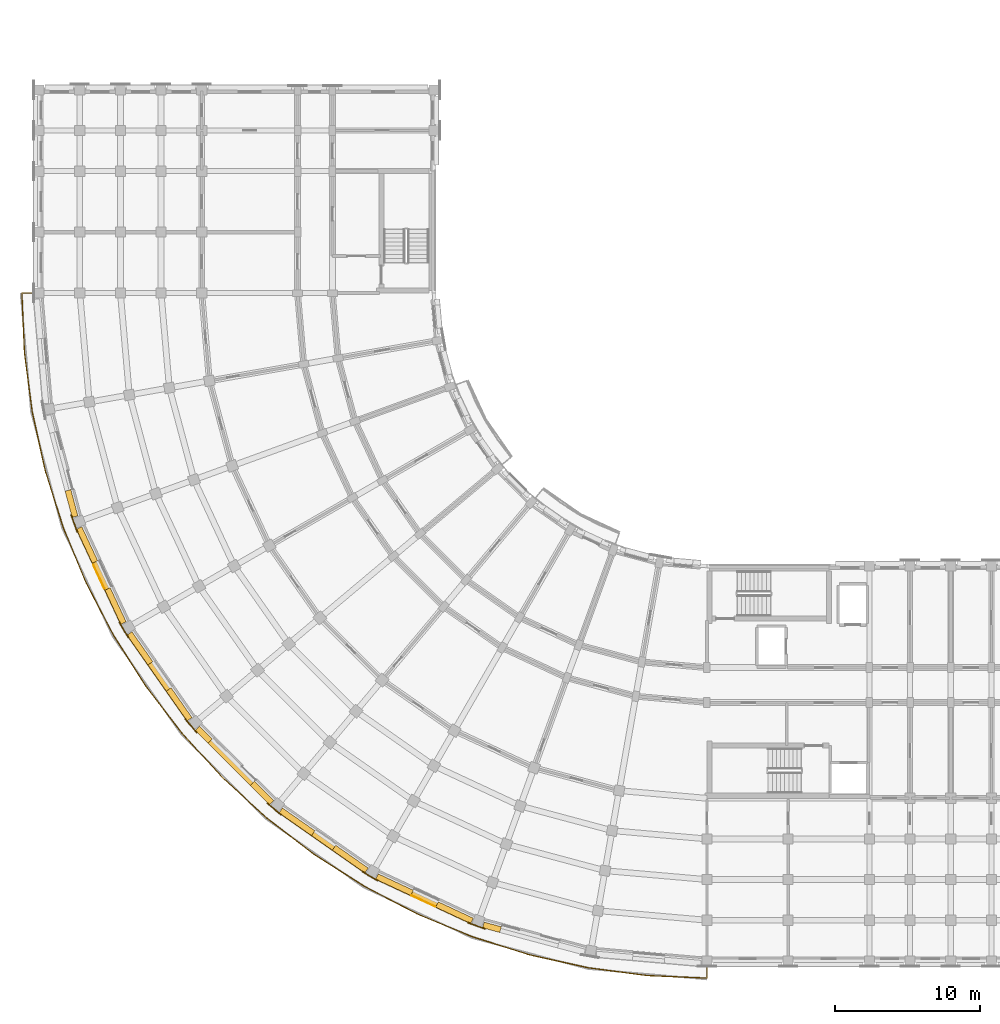
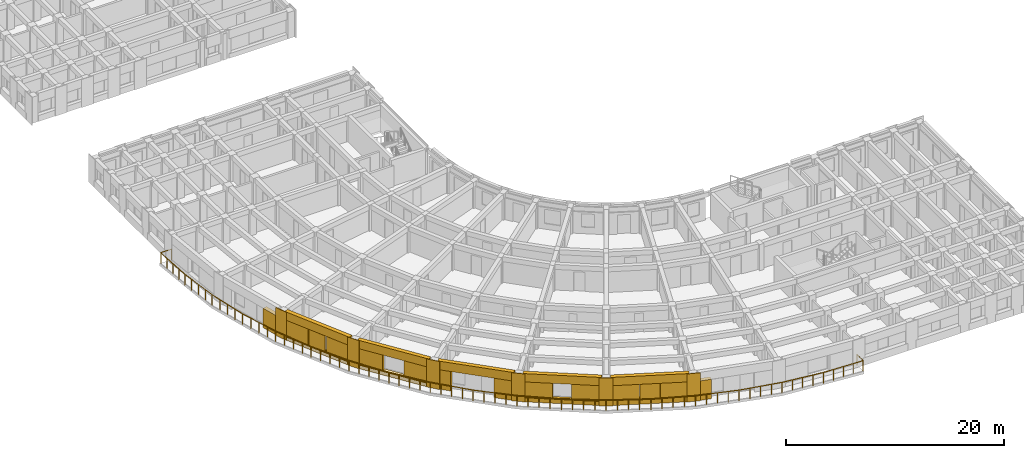
# One storey, part 40 of 57: 27 coverings, 2 shading devices, 1 railing.
"""IFC4 building model written with IfcOpenShell, lengths in metres."""

import ifcopenshell
import ifcopenshell.guid

model = None  # the IFC model being written
_history = None  # IfcOwnerHistory: only IFC2X3 demands one
_inside = {}  # id of a spatial element -> (the spatial element, [elements in it])
_under = {}  # id of a project, library or spatial element -> (it, [spatial elements below it])
_declared = {}  # id of a project -> (the project, [libraries it declares])
_typed = {}  # id of a type object -> (the type object, [elements of that type])
_made_of = {}  # id of a material, layer set ... -> (it, [elements and type objects made of it])


def new_model(schema):
    """Start an empty IFC model of exactly this schema.

    Asked for "IFC4X3", IfcOpenShell would pick the latest addendum, in which some entities
    have other attributes; the version numbers below select the first issue.
    IFC2X3 requires an IfcOwnerHistory on every rooted entity: one is made here for all.
    """
    global model, _history
    if schema == "IFC4X3":
        model = ifcopenshell.file(schema_version=(4, 3, 0, 0))
    else:
        model = ifcopenshell.file(schema=schema)
    _inside.clear()
    _under.clear()
    _declared.clear()
    _typed.clear()
    _made_of.clear()
    _history = None
    if model.schema == "IFC2X3":
        org = make("IfcOrganization", Name="unknown")
        user = make(
            "IfcPersonAndOrganization",
            ThePerson=make("IfcPerson", FamilyName="unknown"),
            TheOrganization=org,
        )
        app = make(
            "IfcApplication",
            ApplicationDeveloper=org,
            Version="unknown",
            ApplicationFullName="unknown",
            ApplicationIdentifier="unknown",
        )
        _history = make(
            "IfcOwnerHistory",
            OwningUser=user,
            OwningApplication=app,
            ChangeAction="ADDED",
            CreationDate=0,
        )
    return model


def make(cls, **values):
    """One entity of the class cls with the attributes given. An attribute that is None is left unset."""
    return model.create_entity(
        cls, **{name: value for name, value in values.items() if value is not None}
    )


def rooted(cls, **values):
    """An entity with a GlobalId (a new one), such as an element, a storey or a relation."""
    return make(cls, GlobalId=ifcopenshell.guid.new(), OwnerHistory=_history, **values)


def si_unit(unit_type, name, prefix=None):
    """IfcSIUnit, for example si_unit("LENGTHUNIT", "METRE", prefix="MILLI")."""
    return make("IfcSIUnit", UnitType=unit_type, Prefix=prefix, Name=name)


def assignment(units):
    """IfcUnitAssignment: the units of a project."""
    return None if units is None else make("IfcUnitAssignment", Units=units)


def point(xyz):
    """IfcCartesianPoint."""
    return None if xyz is None else make("IfcCartesianPoint", Coordinates=xyz)


def direction(xyz):
    """IfcDirection."""
    return None if xyz is None else make("IfcDirection", DirectionRatios=xyz)


def frame(location, z_axis=None, x_axis=None):
    """IfcAxis2Placement3D, a coordinate frame: its origin and axes. An axis left out is left unset."""
    return make(
        "IfcAxis2Placement3D",
        Location=point(location),
        Axis=direction(z_axis),
        RefDirection=direction(x_axis),
    )


def frame_2d(location, x_axis=None):
    """IfcAxis2Placement2D, a coordinate frame in the plane: its origin and x axis."""
    return make(
        "IfcAxis2Placement2D", Location=point(location), RefDirection=direction(x_axis)
    )


def origin():
    """The frame at (0, 0, 0) with its axes left unset."""
    return frame((0.0, 0.0, 0.0))


def origin_2d():
    """The frame at (0, 0) in the plane with its x axis left unset."""
    return frame_2d((0.0, 0.0))


def place(relative_to, where):
    """IfcLocalPlacement: puts the frame where relative to a parent placement (None: the world)."""
    return make(
        "IfcLocalPlacement", PlacementRelTo=relative_to, RelativePlacement=where
    )


def context(
    kind, dimensions, precision=None, world=None, true_north=None, identifier=None
):
    """IfcGeometricRepresentationContext, for example the 3D "Model" context."""
    return make(
        "IfcGeometricRepresentationContext",
        ContextIdentifier=identifier,
        ContextType=kind,
        CoordinateSpaceDimension=dimensions,
        Precision=precision,
        WorldCoordinateSystem=world,
        TrueNorth=true_north,
    )


def subcontext(parent, identifier, kind, view, scale=None):
    """IfcGeometricRepresentationSubContext, for example "Body" below "Model"."""
    return make(
        "IfcGeometricRepresentationSubContext",
        ContextIdentifier=identifier,
        ContextType=kind,
        ParentContext=parent,
        TargetScale=scale,
        TargetView=view,
    )


def project(units=None, contexts=None):
    """IfcProject with its units and contexts."""
    return rooted(
        "IfcProject",
        Name="project",
        RepresentationContexts=contexts,
        UnitsInContext=assignment(units),
    )


def spatial(cls, under=None, at=None, **own):
    """A site, building, storey or space (cls), placed at a placement, below another one or the project."""
    s = rooted(cls, ObjectPlacement=at, **own)
    if under is not None:
        _under.setdefault(under.id(), (under, []))[1].append(s)
    return s


def polyline(points):
    """IfcPolyline through the points."""
    return make("IfcPolyline", Points=[point(p) for p in points])


def profile(cls, at=None, kind="AREA", **sizes):
    """A parametric profile (cls). Its sizes go by their IFC names, for example OverallWidth=200.0."""
    return make(cls, ProfileType=kind, Position=at, **sizes)


def rectangle(**sizes):
    """IfcRectangleProfileDef."""
    return profile("IfcRectangleProfileDef", **sizes)


def circle(**sizes):
    """IfcCircleProfileDef."""
    return profile("IfcCircleProfileDef", **sizes)


def outline(outer, holes=None, kind="AREA"):
    """IfcArbitraryClosedProfileDef: a profile drawn as a closed curve; with holes, ...WithVoids."""
    if holes is None:
        return make("IfcArbitraryClosedProfileDef", ProfileType=kind, OuterCurve=outer)
    return make(
        "IfcArbitraryProfileDefWithVoids",
        ProfileType=kind,
        OuterCurve=outer,
        InnerCurves=holes,
    )


def extrude(swept, where, along, depth):
    """IfcExtrudedAreaSolid: the profile swept, set in the frame where, extruded along a direction by depth."""
    return make(
        "IfcExtrudedAreaSolid",
        SweptArea=swept,
        Position=where,
        ExtrudedDirection=direction(along),
        Depth=depth,
    )


def shape(context_of_items, identifier, shape_type, items):
    """IfcShapeRepresentation: the items that make up one representation, for example the "Body"."""
    return make(
        "IfcShapeRepresentation",
        ContextOfItems=context_of_items,
        RepresentationIdentifier=identifier,
        RepresentationType=shape_type,
        Items=items,
    )


def material(Name=None, Category=None):
    """IfcMaterial."""
    return make("IfcMaterial", Name=Name, Category=Category)


def layer(
    of_material, thickness, ventilated=None, Name=None, Category=None, Priority=None
):
    """IfcMaterialLayer: one layer of a wall or slab, of a material (None: an air gap)."""
    return make(
        "IfcMaterialLayer",
        Material=of_material,
        LayerThickness=thickness,
        IsVentilated=ventilated,
        Name=Name,
        Category=Category,
        Priority=Priority,
    )


def layer_set(layers, Name=None):
    """IfcMaterialLayerSet."""
    return make("IfcMaterialLayerSet", MaterialLayers=layers, LayerSetName=Name)


def made_of(thing, what):
    """Note that an element or type object is made of a material, layer set ...; save() writes the relation."""
    if what is not None:
        _made_of.setdefault(what.id(), (what, []))[1].append(thing)
    return thing


def type_object(cls, material=None, **own):
    """A type object (cls), such as IfcWallType, which elements share."""
    return made_of(rooted(cls, **own), material)


def element(
    cls,
    number,
    at=None,
    inside=None,
    cuts=None,
    type_object=None,
    material=None,
    context=None,
    identifier="Body",
    shape_type=None,
    held_by="IfcProductDefinitionShape",
    body=None,
    shapes=None,
    **own,
):
    """One element of the class cls, such as IfcWall. Its Tag is "e" and its number.

    at: its placement. inside: the storey or other place that contains it. cuts: it is an
    opening in that element (IfcRelVoidsElement). A single representation is given by context,
    identifier, shape_type and body (its items); several are given by shapes. held_by: the class
    of the entity that holds the representations. save() writes the other relations.
    """
    e = rooted(cls, Tag="e%d" % number, ObjectPlacement=at, **own)
    if body is not None:
        shapes = [shape(context, identifier, shape_type, body)]
    if shapes is not None:
        e.Representation = make(held_by, Representations=shapes)
    if inside is not None:
        _inside.setdefault(inside.id(), (inside, []))[1].append(e)
    if cuts is not None:
        rooted(
            "IfcRelVoidsElement", RelatingBuildingElement=cuts, RelatedOpeningElement=e
        )
    if type_object is not None:
        _typed.setdefault(type_object.id(), (type_object, []))[1].append(e)
    return made_of(e, material)


def aggregate(whole, parts):
    """IfcRelAggregates: a whole, such as a stair, and the parts it consists of."""
    return rooted("IfcRelAggregates", RelatingObject=whole, RelatedObjects=parts)


def save(model, path):
    """Write the relations noted so far, then the file.

    IfcRelAggregates (storeys below a building ...), IfcRelContainedInSpatialStructure (elements
    in a storey), IfcRelDefinesByType, IfcRelAssociatesMaterial and IfcRelDeclares: one each for
    every whole, place, type object, material and project.
    """
    for whole, parts in _under.values():
        aggregate(whole, parts)
    for where, things in _inside.values():
        rooted(
            "IfcRelContainedInSpatialStructure",
            RelatedElements=things,
            RelatingStructure=where,
        )
    for kind, things in _typed.values():
        rooted("IfcRelDefinesByType", RelatedObjects=things, RelatingType=kind)
    for what, things in _made_of.values():
        rooted("IfcRelAssociatesMaterial", RelatedObjects=things, RelatingMaterial=what)
    for by, libraries in _declared.values():
        rooted("IfcRelDeclares", RelatingContext=by, RelatedDefinitions=libraries)
    model.write(path)


model = new_model("IFC4")

# Units and contexts
model_context = context("Model", 3, precision=1e-05, world=origin(), true_north=direction((0.0, 1.0)))
body_context = subcontext(model_context, "Body", "Model", "MODEL_VIEW")
ifc_project = project(units=[si_unit("LENGTHUNIT", "METRE"), si_unit("AREAUNIT", "SQUARE_METRE"), si_unit("VOLUMEUNIT", "CUBIC_METRE"), si_unit("PLANEANGLEUNIT", "RADIAN"), si_unit("MASSUNIT", "GRAM", prefix="KILO")], contexts=[model_context])

# Site, building, storey
site_placement = place(None, origin())
site = spatial("IfcSite", under=ifc_project, at=site_placement, CompositionType="ELEMENT")
building_placement = place(site_placement, origin())
building = spatial("IfcBuilding", under=site, at=building_placement, Name="Kiranvali Square Residences", CompositionType="ELEMENT")
storey_placement = place(building_placement, frame((0.0, 0.0, 18.14990234375)))
storey = spatial("IfcBuildingStorey", under=building, at=storey_placement, Name="L05", CompositionType="ELEMENT", Elevation=18.14990234375)

# Coverings
ifc_material_1 = material(Name="Honed Porbandar limestone ashlar facade cladding", Category="masonry")
ifc_layer_1 = layer(ifc_material_1, 0.3798828125)
ifc_layer_set_1 = layer_set([ifc_layer_1], Name="Honed Porbandar limestone ashlar facade cladding")
covering_type_1 = type_object("IfcCoveringType", Name="COV-CLAD-JAMB", PredefinedType="CLADDING", material=ifc_layer_set_1)
covering_1_placement = place(storey_placement, origin())
element("IfcCovering", 1, at=covering_1_placement, inside=storey, type_object=covering_type_1, Name="L05 deep limestone window jamb reveal C-L05-CRV-01.R", PredefinedType="CLADDING", context=body_context, shape_type="SweptSolid", body=[
    extrude(outline(polyline([(34.038330078125, 4.552734375), (32.853271484375, 4.8701171875), (32.747314453125, 4.474609375), (33.932373046875, 4.156982421875), (34.038330078125, 4.552734375)])), origin(), (0.0, 0.0, 1.0), 2.18017578125),
])
covering_2_placement = place(storey_placement, frame((0.0, 0.0, 0.56201171875)))
element("IfcCovering", 2, at=covering_2_placement, inside=storey, type_object=covering_type_1, Name="L05 deep limestone window jamb reveal C-L05-CRV-02.L", PredefinedType="CLADDING", context=body_context, shape_type="SweptSolid", body=[
    extrude(outline(polyline([(32.104248046875, 5.142822265625), (29.6943359375, 6.2666015625), (29.521240234375, 5.8955078125), (31.931396484375, 4.771484375), (32.104248046875, 5.142822265625)])), origin(), (0.0, 0.0, 1.0), 1.650146484375),
])
covering_3_placement = place(storey_placement, frame((0.0, 0.0, 0.56201171875)))
element("IfcCovering", 3, at=covering_3_placement, inside=storey, type_object=covering_type_1, Name="L05 deep limestone window jamb reveal C-L05-CRV-02.R", PredefinedType="CLADDING", context=body_context, shape_type="SweptSolid", body=[
    extrude(outline(polyline([(27.972412109375, 7.069580078125), (25.562255859375, 8.193359375), (25.38916015625, 7.822265625), (27.79931640625, 6.698486328125), (27.972412109375, 7.069580078125)])), origin(), (0.0, 0.0, 1.0), 1.650146484375),
])
covering_4_placement = place(storey_placement, frame((0.0, 0.0, 0.462158203125)))
element("IfcCovering", 4, at=covering_4_placement, inside=storey, type_object=covering_type_1, Name="L05 deep limestone window jamb reveal C-L05-CRV-03.L", PredefinedType="CLADDING", context=body_context, shape_type="SweptSolid", body=[
    extrude(outline(polyline([(24.8720703125, 8.591796875), (22.63232421875, 10.16015625), (22.3974609375, 9.82470703125), (24.63720703125, 8.25634765625), (24.8720703125, 8.591796875)])), origin(), (0.0, 0.0, 1.0), 1.75),
])
covering_5_placement = place(storey_placement, frame((0.0, 0.0, 0.462158203125)))
element("IfcCovering", 5, at=covering_5_placement, inside=storey, type_object=covering_type_1, Name="L05 deep limestone window jamb reveal C-L05-CRV-03.R", PredefinedType="CLADDING", context=body_context, shape_type="SweptSolid", body=[
    extrude(outline(polyline([(21.19873046875, 11.163818359375), (18.959228515625, 12.732177734375), (18.724365234375, 12.396728515625), (20.9638671875, 10.828369140625), (21.19873046875, 11.163818359375)])), origin(), (0.0, 0.0, 1.0), 1.75),
])
covering_6_placement = place(storey_placement, origin())
element("IfcCovering", 6, at=covering_6_placement, inside=storey, type_object=covering_type_1, Name="L05 deep limestone window jamb reveal C-L05-CRV-04.L", PredefinedType="CLADDING", context=body_context, shape_type="SweptSolid", body=[
    extrude(outline(polyline([(18.3486328125, 13.244384765625), (17.021728515625, 14.5712890625), (16.732177734375, 14.28173828125), (18.05908203125, 12.954833984375), (18.3486328125, 13.244384765625)])), origin(), (0.0, 0.0, 1.0), 2.18017578125),
])
covering_7_placement = place(storey_placement, origin())
element("IfcCovering", 7, at=covering_7_placement, inside=storey, type_object=covering_type_1, Name="L05 deep limestone window jamb reveal C-L05-CRV-04.R", PredefinedType="CLADDING", context=body_context, shape_type="SweptSolid", body=[
    extrude(outline(polyline([(14.11181640625, 17.481201171875), (13.244384765625, 18.3486328125), (12.954833984375, 18.05908203125), (13.822265625, 17.191650390625), (14.11181640625, 17.481201171875)])), origin(), (0.0, 0.0, 1.0), 2.18017578125),
])
covering_8_placement = place(storey_placement, frame((0.0, 0.0, 0.412109375)))
element("IfcCovering", 8, at=covering_8_placement, inside=storey, type_object=covering_type_1, Name="L05 deep limestone window jamb reveal C-L05-CRV-05.L", PredefinedType="CLADDING", context=body_context, shape_type="SweptSolid", body=[
    extrude(outline(polyline([(12.732177734375, 18.959228515625), (11.29296875, 21.0146484375), (10.95751953125, 20.779541015625), (12.396728515625, 18.724365234375), (12.732177734375, 18.959228515625)])), origin(), (0.0, 0.0, 1.0), 1.800048828125),
])
covering_9_placement = place(storey_placement, frame((0.0, 0.0, 0.412109375)))
element("IfcCovering", 9, at=covering_9_placement, inside=storey, type_object=covering_type_1, Name="L05 deep limestone window jamb reveal C-L05-CRV-05.R", PredefinedType="CLADDING", context=body_context, shape_type="SweptSolid", body=[
    extrude(outline(polyline([(10.031005859375, 22.816650390625), (8.591796875, 24.8720703125), (8.25634765625, 24.63720703125), (9.695556640625, 22.581787109375), (10.031005859375, 22.816650390625)])), origin(), (0.0, 0.0, 1.0), 1.800048828125),
])
covering_10_placement = place(storey_placement, frame((0.0, 0.0, 0.362060546875)))
element("IfcCovering", 10, at=covering_10_placement, inside=storey, type_object=covering_type_1, Name="L05 deep limestone window jamb reveal C-L05-CRV-06.L", PredefinedType="CLADDING", context=body_context, shape_type="SweptSolid", body=[
    extrude(outline(polyline([(8.193359375, 25.562255859375), (7.101318359375, 27.904296875), (6.72998046875, 27.731201171875), (7.822265625, 25.38916015625), (8.193359375, 25.562255859375)])), origin(), (0.0, 0.0, 1.0), 1.85009765625),
])
covering_11_placement = place(storey_placement, frame((0.0, 0.0, 0.362060546875)))
element("IfcCovering", 11, at=covering_11_placement, inside=storey, type_object=covering_type_1, Name="L05 deep limestone window jamb reveal C-L05-CRV-06.R", PredefinedType="CLADDING", context=body_context, shape_type="SweptSolid", body=[
    extrude(outline(polyline([(6.23486328125, 29.76220703125), (5.142822265625, 32.104248046875), (4.771484375, 31.931396484375), (5.86376953125, 29.589111328125), (6.23486328125, 29.76220703125)])), origin(), (0.0, 0.0, 1.0), 1.85009765625),
])
covering_12_placement = place(storey_placement, origin())
element("IfcCovering", 12, at=covering_12_placement, inside=storey, type_object=covering_type_1, Name="L05 deep limestone window jamb reveal C-L05-CRV-07.L", PredefinedType="CLADDING", context=body_context, shape_type="SweptSolid", body=[
    extrude(outline(polyline([(4.8701171875, 32.853271484375), (4.384521484375, 34.665771484375), (3.989013671875, 34.559814453125), (4.474609375, 32.747314453125), (4.8701171875, 32.853271484375)])), origin(), (0.0, 0.0, 1.0), 2.18017578125),
])
ifc_layer_2 = layer(ifc_material_1, 0.06494140625)
ifc_layer_set_2 = layer_set([ifc_layer_2], Name="Honed Porbandar limestone ashlar facade cladding")
covering_type_2 = type_object("IfcCoveringType", Name="COV-CLAD-PIER", PredefinedType="CLADDING", material=ifc_layer_set_2)
covering_13_placement = place(storey_placement, frame((0.0, 0.0, 0.005126953125)))
element("IfcCovering", 13, at=covering_13_placement, inside=storey, type_object=covering_type_2, Name="L05 Classical limestone corner pilaster CLAD-PR-C-L05-A02", PredefinedType="CLADDING", context=body_context, shape_type="SweptSolid", body=[
    extrude(outline(polyline([(31.732177734375, 4.796875), (32.916015625, 4.365966796875), (32.939208984375, 4.42919921875), (31.755126953125, 4.8603515625), (31.732177734375, 4.796875)])), origin(), (0.0, 0.0, 1.0), 3.139892578125),
])
covering_14_placement = place(storey_placement, frame((0.0, 0.0, 0.005126953125)))
element("IfcCovering", 14, at=covering_14_placement, inside=storey, type_object=covering_type_2, Name="L05 Classical limestone corner pilaster CLAD-PR-C-L05-A03", PredefinedType="CLADDING", context=body_context, shape_type="SweptSolid", body=[
    extrude(outline(polyline([(24.4453125, 8.31591796875), (25.53662109375, 7.685791015625), (25.5703125, 7.744384765625), (24.479248046875, 8.374267578125), (24.4453125, 8.31591796875)])), origin(), (0.0, 0.0, 1.0), 3.139892578125),
])
covering_15_placement = place(storey_placement, frame((0.0, 0.0, 0.005126953125)))
element("IfcCovering", 15, at=covering_15_placement, inside=storey, type_object=covering_type_2, Name="L05 Classical limestone corner pilaster CLAD-PR-C-L05-A04", PredefinedType="CLADDING", context=body_context, shape_type="SweptSolid", body=[
    extrude(outline(polyline([(17.88037109375, 13.046630859375), (18.845703125, 12.23681640625), (18.88916015625, 12.28857421875), (17.923828125, 13.098388671875), (17.88037109375, 13.046630859375)])), origin(), (0.0, 0.0, 1.0), 3.139892578125),
])
covering_16_placement = place(storey_placement, frame((0.0, 0.0, 0.005126953125)))
element("IfcCovering", 16, at=covering_16_placement, inside=storey, type_object=covering_type_2, Name="L05 Classical limestone corner pilaster CLAD-PR-C-L05-A05", PredefinedType="CLADDING", context=body_context, shape_type="SweptSolid", body=[
    extrude(outline(polyline([(12.23681640625, 18.845703125), (13.046630859375, 17.88037109375), (13.098388671875, 17.923828125), (12.28857421875, 18.88916015625), (12.23681640625, 18.845703125)])), origin(), (0.0, 0.0, 1.0), 3.139892578125),
])
covering_17_placement = place(storey_placement, frame((0.0, 0.0, 0.005126953125)))
element("IfcCovering", 17, at=covering_17_placement, inside=storey, type_object=covering_type_2, Name="L05 Classical limestone corner pilaster CLAD-PR-C-L05-A06", PredefinedType="CLADDING", context=body_context, shape_type="SweptSolid", body=[
    extrude(outline(polyline([(7.685791015625, 25.53662109375), (8.31591796875, 24.4453125), (8.374267578125, 24.479248046875), (7.744384765625, 25.5703125), (7.685791015625, 25.53662109375)])), origin(), (0.0, 0.0, 1.0), 3.139892578125),
])
covering_18_placement = place(storey_placement, frame((0.0, 0.0, 0.005126953125)))
element("IfcCovering", 18, at=covering_18_placement, inside=storey, type_object=covering_type_2, Name="L05 Classical limestone corner pilaster CLAD-PR-C-L05-A07", PredefinedType="CLADDING", context=body_context, shape_type="SweptSolid", body=[
    extrude(outline(polyline([(4.365966796875, 32.916015625), (4.796875, 31.732177734375), (4.8603515625, 31.755126953125), (4.42919921875, 32.939208984375), (4.365966796875, 32.916015625)])), origin(), (0.0, 0.0, 1.0), 3.139892578125),
])
ifc_layer_3 = layer(ifc_material_1, 0.360107421875)
ifc_layer_set_3 = layer_set([ifc_layer_3], Name="Honed Porbandar limestone ashlar facade cladding")
covering_type_3 = type_object("IfcCoveringType", Name="COV-CLAD-WALL", PredefinedType="CLADDING", material=ifc_layer_set_3)
covering_19_placement = place(storey_placement, frame((0.0, 0.0, 2.212158203125)))
element("IfcCovering", 19, at=covering_19_placement, inside=storey, type_object=covering_type_3, Name="L05 light limestone spandrel lintel C-L05-CRV-02", PredefinedType="CLADDING", context=body_context, shape_type="SweptSolid", body=[
    extrude(outline(polyline([(32.104248046875, 5.142822265625), (25.562255859375, 8.193359375), (25.38916015625, 7.822265625), (31.931396484375, 4.771484375), (32.104248046875, 5.142822265625)])), origin(), (0.0, 0.0, 1.0), 0.932861328125),
])
covering_20_placement = place(storey_placement, frame((0.0, 0.0, 0.005126953125)))
element("IfcCovering", 20, at=covering_20_placement, inside=storey, type_object=covering_type_3, Name="L05 limestone window sill apron C-L05-CRV-02", PredefinedType="CLADDING", context=body_context, shape_type="SweptSolid", body=[
    extrude(outline(polyline([(32.104248046875, 5.142822265625), (25.562255859375, 8.193359375), (25.37646484375, 7.794921875), (31.918701171875, 4.744384765625), (32.104248046875, 5.142822265625)])), origin(), (0.0, 0.0, 1.0), 0.556884765625),
])
covering_21_placement = place(storey_placement, frame((0.0, 0.0, 2.212158203125)))
element("IfcCovering", 21, at=covering_21_placement, inside=storey, type_object=covering_type_3, Name="L05 light limestone spandrel lintel C-L05-CRV-03", PredefinedType="CLADDING", context=body_context, shape_type="SweptSolid", body=[
    extrude(outline(polyline([(24.8720703125, 8.591796875), (18.959228515625, 12.732177734375), (18.724365234375, 12.396728515625), (24.63720703125, 8.25634765625), (24.8720703125, 8.591796875)])), origin(), (0.0, 0.0, 1.0), 0.932861328125),
])
covering_22_placement = place(storey_placement, frame((0.0, 0.0, 0.005126953125)))
element("IfcCovering", 22, at=covering_22_placement, inside=storey, type_object=covering_type_3, Name="L05 limestone window sill apron C-L05-CRV-03", PredefinedType="CLADDING", context=body_context, shape_type="SweptSolid", body=[
    extrude(outline(polyline([(24.8720703125, 8.591796875), (18.959228515625, 12.732177734375), (18.70703125, 12.3720703125), (24.619873046875, 8.23193359375), (24.8720703125, 8.591796875)])), origin(), (0.0, 0.0, 1.0), 0.45703125),
])
covering_23_placement = place(storey_placement, frame((0.0, 0.0, 2.18017578125)))
element("IfcCovering", 23, at=covering_23_placement, inside=storey, type_object=covering_type_3, Name="L05 light limestone spandrel lintel C-L05-CRV-04", PredefinedType="CLADDING", context=body_context, shape_type="SweptSolid", body=[
    extrude(outline(polyline([(18.3486328125, 13.244384765625), (13.244384765625, 18.3486328125), (12.954833984375, 18.05908203125), (18.05908203125, 12.954833984375), (18.3486328125, 13.244384765625)])), origin(), (0.0, 0.0, 1.0), 0.96484375),
])
covering_24_placement = place(storey_placement, frame((0.0, 0.0, 2.212158203125)))
element("IfcCovering", 24, at=covering_24_placement, inside=storey, type_object=covering_type_3, Name="L05 light limestone spandrel lintel C-L05-CRV-05", PredefinedType="CLADDING", context=body_context, shape_type="SweptSolid", body=[
    extrude(outline(polyline([(12.732177734375, 18.959228515625), (8.591796875, 24.8720703125), (8.25634765625, 24.63720703125), (12.396728515625, 18.724365234375), (12.732177734375, 18.959228515625)])), origin(), (0.0, 0.0, 1.0), 0.932861328125),
])
covering_25_placement = place(storey_placement, frame((0.0, 0.0, 0.005126953125)))
element("IfcCovering", 25, at=covering_25_placement, inside=storey, type_object=covering_type_3, Name="L05 limestone window sill apron C-L05-CRV-05", PredefinedType="CLADDING", context=body_context, shape_type="SweptSolid", body=[
    extrude(outline(polyline([(12.732177734375, 18.959228515625), (8.591796875, 24.8720703125), (8.23193359375, 24.619873046875), (12.3720703125, 18.70703125), (12.732177734375, 18.959228515625)])), origin(), (0.0, 0.0, 1.0), 0.406982421875),
])
covering_26_placement = place(storey_placement, frame((0.0, 0.0, 2.212158203125)))
element("IfcCovering", 26, at=covering_26_placement, inside=storey, type_object=covering_type_3, Name="L05 light limestone spandrel lintel C-L05-CRV-06", PredefinedType="CLADDING", context=body_context, shape_type="SweptSolid", body=[
    extrude(outline(polyline([(8.193359375, 25.562255859375), (5.142822265625, 32.104248046875), (4.771484375, 31.931396484375), (7.822265625, 25.38916015625), (8.193359375, 25.562255859375)])), origin(), (0.0, 0.0, 1.0), 0.932861328125),
])
covering_27_placement = place(storey_placement, frame((0.0, 0.0, 0.005126953125)))
element("IfcCovering", 27, at=covering_27_placement, inside=storey, type_object=covering_type_3, Name="L05 limestone window sill apron C-L05-CRV-06", PredefinedType="CLADDING", context=body_context, shape_type="SweptSolid", body=[
    extrude(outline(polyline([(8.193359375, 25.562255859375), (5.142822265625, 32.104248046875), (4.744384765625, 31.918701171875), (7.794921875, 25.37646484375), (8.193359375, 25.562255859375)])), origin(), (0.0, 0.0, 1.0), 0.35693359375),
])

# Railing
ifc_material_2 = material(Name="Powder-coated architectural bronze balustrade", Category="steel")
railing_type = type_object("IfcRailingType", Name="RL-BAL-GOLD-1200", PredefinedType="BALUSTRADE", material=ifc_material_2)
railing_placement = place(storey_placement, frame((48.199951171875, 2.159912109375, 0.0)))
element("IfcRailing", 28, at=railing_placement, inside=storey, type_object=railing_type, Name="Block C L05 continuous curved corner gold balustrade", PredefinedType="BALUSTRADE", context=body_context, shape_type="SweptSolid", body=[
    extrude(circle(Radius=0.02392578125, at=origin_2d()), frame((0.0, 0.0, 1.17578125), z_axis=(0.0, -1.0, 0.0), x_axis=(1.0, 0.0, 0.0)), (0.0, 0.0, 1.0), 1.14990234375),
    extrude(circle(Radius=0.02392578125, at=origin_2d()), frame((0.0, -1.14990234375, 1.17578125), z_axis=(-0.999049544955, 0.043589066576, 0.0), x_axis=(-0.043589066576, -0.999049544955, 0.0)), (0.0, 0.0, 1.0), 4.11669921875),
    extrude(circle(Radius=0.02392578125, at=origin_2d()), frame((-4.11279296875, -0.970458984375, 1.17578125), z_axis=(-0.991444603928, 0.1305281477, 0.0), x_axis=(-0.1305281477, -0.991444603928, 0.0)), (0.0, 0.0, 1.0), 4.11669921875),
    extrude(circle(Radius=0.02392578125, at=origin_2d()), frame((-8.1943359375, -0.43310546875, 1.17578125), z_axis=(-0.976292989924, 0.216453223181, 0.0), x_axis=(-0.216453223181, -0.976292989924, 0.0)), (0.0, 0.0, 1.0), 4.116943359375),
    extrude(circle(Radius=0.02392578125, at=origin_2d()), frame((-12.213623046875, 0.4580078125, 1.17578125), z_axis=(-0.953710744932, 0.300725481131, 0.0), x_axis=(-0.300725481131, -0.953710744932, 0.0)), (0.0, 0.0, 1.0), 4.116943359375),
    extrude(circle(Radius=0.02392578125, at=origin_2d()), frame((-16.139892578125, 1.696044921875, 1.17578125), z_axis=(-0.923880226262, 0.382681757498, 0.0), x_axis=(-0.382681757498, -0.923880226262, 0.0)), (0.0, 0.0, 1.0), 4.116943359375),
    extrude(circle(Radius=0.02392578125, at=origin_2d()), frame((-19.943359375, 3.271484375, 1.17578125), z_axis=(-0.887013781313, 0.461742949877, 0.0), x_axis=(-0.461742949877, -0.887013781313, 0.0)), (0.0, 0.0, 1.0), 4.11669921875),
    extrude(circle(Radius=0.02392578125, at=origin_2d()), frame((-23.594970703125, 5.17236328125, 1.17578125), z_axis=(-0.843402550976, 0.537282176335, 0.0), x_axis=(-0.537282176335, -0.843402550976, 0.0)), (0.0, 0.0, 1.0), 4.116943359375),
    extrude(circle(Radius=0.02392578125, at=origin_2d()), frame((-27.067138671875, 7.38427734375, 1.17578125), z_axis=(-0.793339967331, 0.608778856594, 0.0), x_axis=(-0.608778856594, -0.793339967331, 0.0)), (0.0, 0.0, 1.0), 4.11669921875),
    extrude(circle(Radius=0.02392578125, at=origin_2d()), frame((-30.3330078125, 9.890380859375, 1.17578125), z_axis=(-0.737299356654, 0.675566176386, 0.0), x_axis=(-0.675566176386, -0.737299356654, 0.0)), (0.0, 0.0, 1.0), 4.116943359375),
    extrude(circle(Radius=0.02392578125, at=origin_2d()), frame((-33.368408203125, 12.671630859375, 1.17578125), z_axis=(-0.675566176386, 0.737299356654, 0.0), x_axis=(-0.737299356654, -0.675566176386, 0.0)), (0.0, 0.0, 1.0), 4.116943359375),
    extrude(circle(Radius=0.02392578125, at=origin_2d()), frame((-36.149658203125, 15.70703125, 1.17578125), z_axis=(-0.608778856594, 0.793339967331, 0.0), x_axis=(-0.793339967331, -0.608778856594, 0.0)), (0.0, 0.0, 1.0), 4.11669921875),
    extrude(circle(Radius=0.02392578125, at=origin_2d()), frame((-38.65576171875, 18.972900390625, 1.17578125), z_axis=(-0.537282176335, 0.843402550976, 0.0), x_axis=(-0.843402550976, -0.537282176335, 0.0)), (0.0, 0.0, 1.0), 4.116943359375),
    extrude(circle(Radius=0.02392578125, at=origin_2d()), frame((-40.86767578125, 22.445068359375, 1.17578125), z_axis=(-0.461742949877, 0.887013781313, 0.0), x_axis=(-0.887013781313, -0.461742949877, 0.0)), (0.0, 0.0, 1.0), 4.11669921875),
    extrude(circle(Radius=0.02392578125, at=origin_2d()), frame((-42.7685546875, 26.0966796875, 1.17578125), z_axis=(-0.382681757498, 0.923880226262, 0.0), x_axis=(-0.923880226262, -0.382681757498, 0.0)), (0.0, 0.0, 1.0), 4.116943359375),
    extrude(circle(Radius=0.02392578125, at=origin_2d()), frame((-44.343994140625, 29.900146484375, 1.17578125), z_axis=(-0.300725481131, 0.953710744932, 0.0), x_axis=(-0.953710744932, -0.300725481131, 0.0)), (0.0, 0.0, 1.0), 4.116943359375),
    extrude(circle(Radius=0.02392578125, at=origin_2d()), frame((-45.58203125, 33.826416015625, 1.17578125), z_axis=(-0.216453223181, 0.976292989924, 0.0), x_axis=(-0.976292989924, -0.216453223181, 0.0)), (0.0, 0.0, 1.0), 4.116943359375),
    extrude(circle(Radius=0.02392578125, at=origin_2d()), frame((-46.47314453125, 37.845703125, 1.17578125), z_axis=(-0.1305281477, 0.991444603928, 0.0), x_axis=(-0.991444603928, -0.1305281477, 0.0)), (0.0, 0.0, 1.0), 4.11669921875),
    extrude(circle(Radius=0.02392578125, at=origin_2d()), frame((-47.010498046875, 41.92724609375, 1.17578125), z_axis=(-0.043589066576, 0.999049544955, 0.0), x_axis=(-0.999049544955, -0.043589066576, 0.0)), (0.0, 0.0, 1.0), 4.11669921875),
    extrude(circle(Radius=0.02392578125, at=origin_2d()), frame((-47.18994140625, 46.0400390625, 1.17578125), z_axis=(1.0, 0.0, 0.0), x_axis=(0.0, 1.0, 0.0)), (0.0, 0.0, 1.0), 1.14990234375),
    extrude(circle(Radius=0.02099609375, at=origin_2d()), origin(), (0.0, 0.0, 1.0), 1.15185546875),
    extrude(circle(Radius=0.02099609375, at=origin_2d()), frame((0.0, -1.14990234375, 0.0)), (0.0, 0.0, 1.0), 1.15185546875),
    extrude(circle(Radius=0.02099609375, at=origin_2d()), frame((-1.0283203125, -1.10498046875, 0.0)), (0.0, 0.0, 1.0), 1.15185546875),
    extrude(circle(Radius=0.02099609375, at=origin_2d()), frame((-2.056396484375, -1.06005859375, 0.0)), (0.0, 0.0, 1.0), 1.15185546875),
    extrude(circle(Radius=0.02099609375, at=origin_2d()), frame((-3.08447265625, -1.015380859375, 0.0)), (0.0, 0.0, 1.0), 1.15185546875),
    extrude(circle(Radius=0.02099609375, at=origin_2d()), frame((-4.11279296875, -0.970458984375, 0.0)), (0.0, 0.0, 1.0), 1.15185546875),
    extrude(circle(Radius=0.02099609375, at=origin_2d()), frame((-5.13330078125, -0.836181640625, 0.0)), (0.0, 0.0, 1.0), 1.15185546875),
    extrude(circle(Radius=0.02099609375, at=origin_2d()), frame((-6.153564453125, -0.70166015625, 0.0)), (0.0, 0.0, 1.0), 1.15185546875),
    extrude(circle(Radius=0.02099609375, at=origin_2d()), frame((-7.173828125, -0.5673828125, 0.0)), (0.0, 0.0, 1.0), 1.15185546875),
    extrude(circle(Radius=0.02099609375, at=origin_2d()), frame((-8.1943359375, -0.43310546875, 0.0)), (0.0, 0.0, 1.0), 1.15185546875),
    extrude(circle(Radius=0.02099609375, at=origin_2d()), frame((-9.19921875, -0.21044921875, 0.0)), (0.0, 0.0, 1.0), 1.15185546875),
    extrude(circle(Radius=0.02099609375, at=origin_2d()), frame((-10.2041015625, 0.012451171875, 0.0)), (0.0, 0.0, 1.0), 1.15185546875),
    extrude(circle(Radius=0.02099609375, at=origin_2d()), frame((-11.208740234375, 0.2353515625, 0.0)), (0.0, 0.0, 1.0), 1.15185546875),
    extrude(circle(Radius=0.02099609375, at=origin_2d()), frame((-12.213623046875, 0.4580078125, 0.0)), (0.0, 0.0, 1.0), 1.15185546875),
    extrude(circle(Radius=0.02099609375, at=origin_2d()), frame((-13.1953125, 0.767578125, 0.0)), (0.0, 0.0, 1.0), 1.15185546875),
    extrude(circle(Radius=0.02099609375, at=origin_2d()), frame((-14.1767578125, 1.0771484375, 0.0)), (0.0, 0.0, 1.0), 1.15185546875),
    extrude(circle(Radius=0.02099609375, at=origin_2d()), frame((-15.158203125, 1.386474609375, 0.0)), (0.0, 0.0, 1.0), 1.15185546875),
    extrude(circle(Radius=0.02099609375, at=origin_2d()), frame((-16.139892578125, 1.696044921875, 0.0)), (0.0, 0.0, 1.0), 1.15185546875),
    extrude(circle(Radius=0.02099609375, at=origin_2d()), frame((-17.0908203125, 2.08984375, 0.0)), (0.0, 0.0, 1.0), 1.15185546875),
    extrude(circle(Radius=0.02099609375, at=origin_2d()), frame((-18.04150390625, 2.48388671875, 0.0)), (0.0, 0.0, 1.0), 1.15185546875),
    extrude(circle(Radius=0.02099609375, at=origin_2d()), frame((-18.992431640625, 2.877685546875, 0.0)), (0.0, 0.0, 1.0), 1.15185546875),
    extrude(circle(Radius=0.02099609375, at=origin_2d()), frame((-19.943359375, 3.271484375, 0.0)), (0.0, 0.0, 1.0), 1.15185546875),
    extrude(circle(Radius=0.02099609375, at=origin_2d()), frame((-20.856201171875, 3.74658203125, 0.0)), (0.0, 0.0, 1.0), 1.15185546875),
    extrude(circle(Radius=0.02099609375, at=origin_2d()), frame((-21.76904296875, 4.221923828125, 0.0)), (0.0, 0.0, 1.0), 1.15185546875),
    extrude(circle(Radius=0.02099609375, at=origin_2d()), frame((-22.68212890625, 4.697265625, 0.0)), (0.0, 0.0, 1.0), 1.15185546875),
    extrude(circle(Radius=0.02099609375, at=origin_2d()), frame((-23.594970703125, 5.17236328125, 0.0)), (0.0, 0.0, 1.0), 1.15185546875),
    extrude(circle(Radius=0.02099609375, at=origin_2d()), frame((-24.462890625, 5.725341796875, 0.0)), (0.0, 0.0, 1.0), 1.15185546875),
    extrude(circle(Radius=0.02099609375, at=origin_2d()), frame((-25.3310546875, 6.2783203125, 0.0)), (0.0, 0.0, 1.0), 1.15185546875),
    extrude(circle(Radius=0.02099609375, at=origin_2d()), frame((-26.19921875, 6.831298828125, 0.0)), (0.0, 0.0, 1.0), 1.15185546875),
    extrude(circle(Radius=0.02099609375, at=origin_2d()), frame((-27.067138671875, 7.38427734375, 0.0)), (0.0, 0.0, 1.0), 1.15185546875),
    extrude(circle(Radius=0.02099609375, at=origin_2d()), frame((-27.883544921875, 8.0107421875, 0.0)), (0.0, 0.0, 1.0), 1.15185546875),
    extrude(circle(Radius=0.02099609375, at=origin_2d()), frame((-28.7001953125, 8.63720703125, 0.0)), (0.0, 0.0, 1.0), 1.15185546875),
    extrude(circle(Radius=0.02099609375, at=origin_2d()), frame((-29.5166015625, 9.263916015625, 0.0)), (0.0, 0.0, 1.0), 1.15185546875),
    extrude(circle(Radius=0.02099609375, at=origin_2d()), frame((-30.3330078125, 9.890380859375, 0.0)), (0.0, 0.0, 1.0), 1.15185546875),
    extrude(circle(Radius=0.02099609375, at=origin_2d()), frame((-31.091796875, 10.585693359375, 0.0)), (0.0, 0.0, 1.0), 1.15185546875),
    extrude(circle(Radius=0.02099609375, at=origin_2d()), frame((-31.8505859375, 11.281005859375, 0.0)), (0.0, 0.0, 1.0), 1.15185546875),
    extrude(circle(Radius=0.02099609375, at=origin_2d()), frame((-32.609619140625, 11.976318359375, 0.0)), (0.0, 0.0, 1.0), 1.15185546875),
    extrude(circle(Radius=0.02099609375, at=origin_2d()), frame((-33.368408203125, 12.671630859375, 0.0)), (0.0, 0.0, 1.0), 1.15185546875),
    extrude(circle(Radius=0.02099609375, at=origin_2d()), frame((-34.063720703125, 13.430419921875, 0.0)), (0.0, 0.0, 1.0), 1.15185546875),
    extrude(circle(Radius=0.02099609375, at=origin_2d()), frame((-34.759033203125, 14.189453125, 0.0)), (0.0, 0.0, 1.0), 1.15185546875),
    extrude(circle(Radius=0.02099609375, at=origin_2d()), frame((-35.454345703125, 14.9482421875, 0.0)), (0.0, 0.0, 1.0), 1.15185546875),
    extrude(circle(Radius=0.02099609375, at=origin_2d()), frame((-36.149658203125, 15.70703125, 0.0)), (0.0, 0.0, 1.0), 1.15185546875),
    extrude(circle(Radius=0.02099609375, at=origin_2d()), frame((-36.776123046875, 16.5234375, 0.0)), (0.0, 0.0, 1.0), 1.15185546875),
    extrude(circle(Radius=0.02099609375, at=origin_2d()), frame((-37.40283203125, 17.33984375, 0.0)), (0.0, 0.0, 1.0), 1.15185546875),
    extrude(circle(Radius=0.02099609375, at=origin_2d()), frame((-38.029296875, 18.156494140625, 0.0)), (0.0, 0.0, 1.0), 1.15185546875),
    extrude(circle(Radius=0.02099609375, at=origin_2d()), frame((-38.65576171875, 18.972900390625, 0.0)), (0.0, 0.0, 1.0), 1.15185546875),
    extrude(circle(Radius=0.02099609375, at=origin_2d()), frame((-39.208740234375, 19.8408203125, 0.0)), (0.0, 0.0, 1.0), 1.15185546875),
    extrude(circle(Radius=0.02099609375, at=origin_2d()), frame((-39.76171875, 20.708984375, 0.0)), (0.0, 0.0, 1.0), 1.15185546875),
    extrude(circle(Radius=0.02099609375, at=origin_2d()), frame((-40.314697265625, 21.5771484375, 0.0)), (0.0, 0.0, 1.0), 1.15185546875),
    extrude(circle(Radius=0.02099609375, at=origin_2d()), frame((-40.86767578125, 22.445068359375, 0.0)), (0.0, 0.0, 1.0), 1.15185546875),
    extrude(circle(Radius=0.02099609375, at=origin_2d()), frame((-41.3427734375, 23.35791015625, 0.0)), (0.0, 0.0, 1.0), 1.15185546875),
    extrude(circle(Radius=0.02099609375, at=origin_2d()), frame((-41.818115234375, 24.27099609375, 0.0)), (0.0, 0.0, 1.0), 1.15185546875),
    extrude(circle(Radius=0.02099609375, at=origin_2d()), frame((-42.29345703125, 25.183837890625, 0.0)), (0.0, 0.0, 1.0), 1.15185546875),
    extrude(circle(Radius=0.02099609375, at=origin_2d()), frame((-42.7685546875, 26.0966796875, 0.0)), (0.0, 0.0, 1.0), 1.15185546875),
    extrude(circle(Radius=0.02099609375, at=origin_2d()), frame((-43.162353515625, 27.047607421875, 0.0)), (0.0, 0.0, 1.0), 1.15185546875),
    extrude(circle(Radius=0.02099609375, at=origin_2d()), frame((-43.55615234375, 27.99853515625, 0.0)), (0.0, 0.0, 1.0), 1.15185546875),
    extrude(circle(Radius=0.02099609375, at=origin_2d()), frame((-43.9501953125, 28.94921875, 0.0)), (0.0, 0.0, 1.0), 1.15185546875),
    extrude(circle(Radius=0.02099609375, at=origin_2d()), frame((-44.343994140625, 29.900146484375, 0.0)), (0.0, 0.0, 1.0), 1.15185546875),
    extrude(circle(Radius=0.02099609375, at=origin_2d()), frame((-44.653564453125, 30.8818359375, 0.0)), (0.0, 0.0, 1.0), 1.15185546875),
    extrude(circle(Radius=0.02099609375, at=origin_2d()), frame((-44.962890625, 31.86328125, 0.0)), (0.0, 0.0, 1.0), 1.15185546875),
    extrude(circle(Radius=0.02099609375, at=origin_2d()), frame((-45.2724609375, 32.8447265625, 0.0)), (0.0, 0.0, 1.0), 1.15185546875),
    extrude(circle(Radius=0.02099609375, at=origin_2d()), frame((-45.58203125, 33.826416015625, 0.0)), (0.0, 0.0, 1.0), 1.15185546875),
    extrude(circle(Radius=0.02099609375, at=origin_2d()), frame((-45.8046875, 34.831298828125, 0.0)), (0.0, 0.0, 1.0), 1.15185546875),
    extrude(circle(Radius=0.02099609375, at=origin_2d()), frame((-46.027587890625, 35.8359375, 0.0)), (0.0, 0.0, 1.0), 1.15185546875),
    extrude(circle(Radius=0.02099609375, at=origin_2d()), frame((-46.25048828125, 36.8408203125, 0.0)), (0.0, 0.0, 1.0), 1.15185546875),
    extrude(circle(Radius=0.02099609375, at=origin_2d()), frame((-46.47314453125, 37.845703125, 0.0)), (0.0, 0.0, 1.0), 1.15185546875),
    extrude(circle(Radius=0.02099609375, at=origin_2d()), frame((-46.607421875, 38.8662109375, 0.0)), (0.0, 0.0, 1.0), 1.15185546875),
    extrude(circle(Radius=0.02099609375, at=origin_2d()), frame((-46.74169921875, 39.886474609375, 0.0)), (0.0, 0.0, 1.0), 1.15185546875),
    extrude(circle(Radius=0.02099609375, at=origin_2d()), frame((-46.876220703125, 40.90673828125, 0.0)), (0.0, 0.0, 1.0), 1.15185546875),
    extrude(circle(Radius=0.02099609375, at=origin_2d()), frame((-47.010498046875, 41.92724609375, 0.0)), (0.0, 0.0, 1.0), 1.15185546875),
    extrude(circle(Radius=0.02099609375, at=origin_2d()), frame((-47.055419921875, 42.95556640625, 0.0)), (0.0, 0.0, 1.0), 1.15185546875),
    extrude(circle(Radius=0.02099609375, at=origin_2d()), frame((-47.10009765625, 43.983642578125, 0.0)), (0.0, 0.0, 1.0), 1.15185546875),
    extrude(circle(Radius=0.02099609375, at=origin_2d()), frame((-47.14501953125, 45.01171875, 0.0)), (0.0, 0.0, 1.0), 1.15185546875),
    extrude(circle(Radius=0.02099609375, at=origin_2d()), frame((-47.18994140625, 46.0400390625, 0.0)), (0.0, 0.0, 1.0), 1.15185546875),
    extrude(circle(Radius=0.02099609375, at=origin_2d()), frame((-46.0400390625, 46.0400390625, 0.0)), (0.0, 0.0, 1.0), 1.15185546875),
])

# Shading devices
ifc_material_3 = material(Name="Pierced buff sandstone architectural mashrabiya solar screen", Category="masonry")
shading_device_type_1 = type_object("IfcShadingDeviceType", Name="SHD-JALI-1800", PredefinedType="JALOUSIE", material=ifc_material_3)
shading_device_1_placement = place(storey_placement, frame((28.668701171875, 6.31494140625, 0.562255859375), z_axis=(0.0, 0.0, 1.0), x_axis=(-0.906307787037, 0.422618261741, 0.0)))
element("IfcShadingDevice", 29, at=shading_device_1_placement, inside=storey, type_object=shading_device_type_1, Name="L05 carved stone Mashrabiya screen C-L05-CRV-02", PredefinedType="JALOUSIE", context=body_context, shape_type="SweptSolid", body=[
    extrude(rectangle(XDim=1.800048828125, YDim=0.044921875, at=origin_2d()), origin(), (0.0, 0.0, 1.0), 1.64990234375),
])
shading_device_type_2 = type_object("IfcShadingDeviceType", Name="SHD-JALI-2100", PredefinedType="JALOUSIE", material=ifc_material_3)
shading_device_2_placement = place(storey_placement, frame((6.31494140625, 28.668701171875, 0.362060546875), z_axis=(0.0, 0.0, 1.0), x_axis=(-0.422618261741, 0.906307787037, 0.0)))
element("IfcShadingDevice", 30, at=shading_device_2_placement, inside=storey, type_object=shading_device_type_2, Name="L05 carved stone Mashrabiya screen C-L05-CRV-06", PredefinedType="JALOUSIE", context=body_context, shape_type="SweptSolid", body=[
    extrude(rectangle(XDim=1.800048828125, YDim=0.044921875, at=origin_2d()), origin(), (0.0, 0.0, 1.0), 1.85009765625),
])

save(model, "model.ifc")
